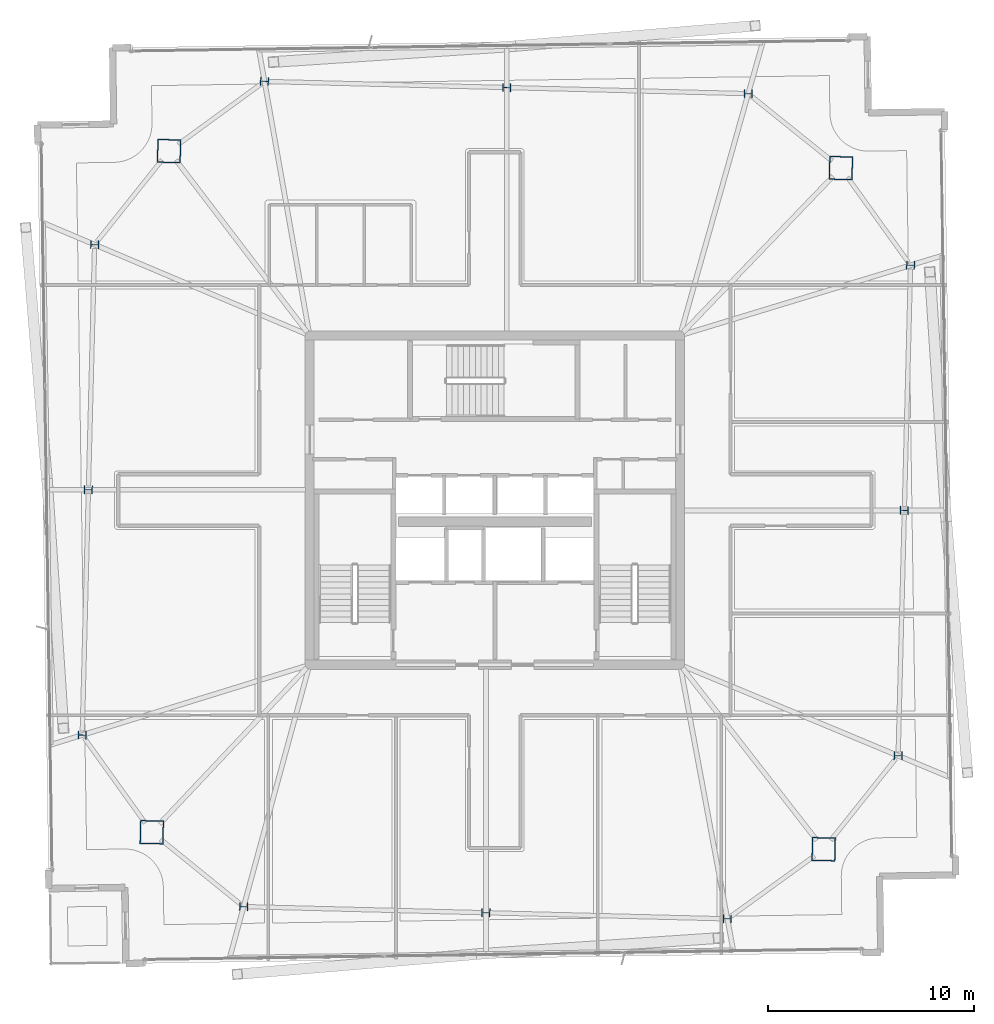
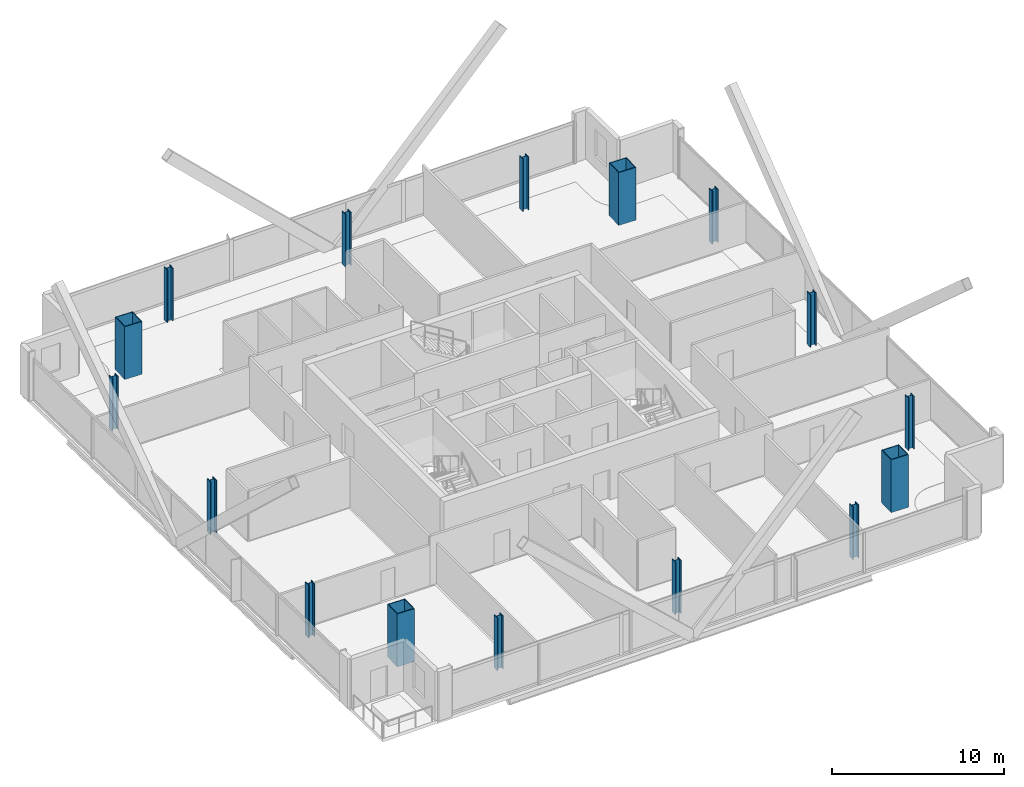
# One storey, part 1 of 25: 16 columns.
"""IFC4 building model written with IfcOpenShell, lengths in metres."""

from ifc_helpers import new_model, si_unit, direction, frame, origin, origin_2d, place, context, subcontext, project, spatial, hollow_rectangle, i_section, extrude, material, material_profile, profile_set, type_object, element, save


model = new_model("IFC4")

# Units and contexts
model_context = context("Model", 3, precision=1e-05, world=origin(), true_north=direction((0.0, 1.0)))
body_context = subcontext(model_context, "Body", "Model", "MODEL_VIEW")
ifc_project = project(units=[si_unit("LENGTHUNIT", "METRE"), si_unit("AREAUNIT", "SQUARE_METRE"), si_unit("VOLUMEUNIT", "CUBIC_METRE"), si_unit("PLANEANGLEUNIT", "RADIAN"), si_unit("MASSUNIT", "GRAM", prefix="KILO")], contexts=[model_context])

# Site, building, storey
site_placement = place(None, origin())
site = spatial("IfcSite", under=ifc_project, at=site_placement, CompositionType="ELEMENT")
building_placement = place(site_placement, origin())
building = spatial("IfcBuilding", under=site, at=building_placement, Name="Haldenkirk Collegiate Tower", CompositionType="ELEMENT")
storey_placement = place(building_placement, frame((0.0, 0.0, 332.699951171875)))
storey = spatial("IfcBuildingStorey", under=building, at=storey_placement, Name="L84", CompositionType="ELEMENT", Elevation=332.699951171875)

# Columns
ifc_material_1 = material(Name="Steel ASTM A913 Grade 65", Category="steel")
ifc_material_profile_1 = material_profile(ifc_material_1, i_section(OverallWidth=0.406005859375, OverallDepth=0.416015625, WebThickness=0.02978515625, FlangeThickness=0.048095703125, at=origin_2d()), Name="W14X257")
ifc_profile_set_1 = profile_set([ifc_material_profile_1], Name="Steel ASTM A913 Grade 65")
column_type_1 = type_object("IfcColumnType", Name="COL-INT-W14X257", PredefinedType="COLUMN", material=ifc_profile_set_1)
for number, where, z_axis, x_axis, name in (
    (1, (55.592041015625, 13.584228515625, 0.0), (0.0, 0.0, 1.0), (0.025304572866, 0.999679788028, 0.0), "L84 perimeter gravity column PC-S1"),
    (2, (55.8935546875, 25.496337890625, 0.0), (0.0, 0.0, 1.0), (0.025304572866, 0.999679788028, 0.0), "L84 perimeter gravity column PC-S2"),
    (3, (56.1953125, 37.40869140625, 0.0), (0.0, 0.0, 1.0), (0.025304572866, 0.999679788028, 0.0), "L84 perimeter gravity column PC-S3"),
    (4, (48.3115234375, 45.744873046875, 0.0), (0.0, 0.0, 1.0), (0.025304572866, 0.999679788028, 0.0), "L84 perimeter gravity column PC-E1"),
    (5, (36.582275390625, 46.041748046875, 0.0), (0.0, 0.0, 1.0), (0.025304572866, 0.999679788028, 0.0), "L84 perimeter gravity column PC-E2"),
    (6, (24.81103515625, 46.339599609375, 0.0), (0.0, 0.0, 1.0), (0.025304572866, 0.999679788028, 0.0), "L84 perimeter gravity column PC-E3"),
    (7, (16.557861328125, 38.411865234375, 0.0), (0.0, 0.0, 1.0), (0.025304572866, 0.999679788028, 0.0), "L84 perimeter gravity column PC-N1"),
    (8, (16.25634765625, 26.499755859375, 0.0), (0.0, 0.0, 1.0), (0.025304572866, 0.999679788028, 0.0), "L84 perimeter gravity column PC-N2"),
    (9, (15.954833984375, 14.587646484375, 0.0), (0.0, 0.0, 1.0), (0.025304572866, 0.999679788028, 0.0), "L84 perimeter gravity column PC-N3"),
    (10, (23.79638671875, 6.25244140625, 0.0), (0.0, 0.0, 1.0), (0.025304572866, 0.999679788028, 0.0), "L84 perimeter gravity column PC-W1"),
    (11, (35.567626953125, 5.95458984375, 0.0), (0.0, 0.0, 1.0), (0.025304572866, 0.999679788028, 0.0), "L84 perimeter gravity column PC-W2"),
    (12, (47.296875, 5.65771484375, 0.0), (0.0, 0.0, 1.0), (0.025304572866, 0.999679788028, 0.0), "L84 perimeter gravity column PC-W3"),
):
    element("IfcColumn", number, at=place(storey_placement, frame(where, z_axis=z_axis, x_axis=x_axis)), inside=storey, type_object=column_type_1, Name=name, PredefinedType="COLUMN", context=body_context, shape_type="SweptSolid", body=[
        extrude(i_section(OverallWidth=0.406005859375, OverallDepth=0.416015625, WebThickness=0.02978515625, FlangeThickness=0.048095703125, at=origin_2d()), origin(), (0.0, 0.0, 1.0), 3.75),
    ])
ifc_material_2 = material(Name="Steel ASTM A572 Grade 50", Category="steel")
ifc_material_profile_2 = material_profile(ifc_material_2, hollow_rectangle(XDim=1.14990234375, YDim=1.14990234375, WallThickness=0.050048828125, at=origin_2d()), Name="BOX1150X1150X50")
ifc_profile_set_2 = profile_set([ifc_material_profile_2], Name="Steel ASTM A572 Grade 50")
column_type_2 = type_object("IfcColumnType", Name="COL-MEGA-BOX1150X1150X50", PredefinedType="COLUMN", material=ifc_profile_set_2)
for number, where, z_axis, x_axis, name in (
    (13, (51.97607421875, 9.040283203125, 0.0), (0.0, 0.0, 1.0), (0.025304572866, 0.999679788028, 0.0), "L84 corner mega-column MC1"),
    (14, (52.8134765625, 42.129638671875, 0.0), (0.0, 0.0, 1.0), (0.025304572866, 0.999679788028, 0.0), "L84 corner mega-column MC2"),
    (15, (20.174072265625, 42.955810546875, 0.0), (0.0, 0.0, 1.0), (0.025304572866, 0.999679788028, 0.0), "L84 corner mega-column MC3"),
    (16, (19.33642578125, 9.866455078125, 0.0), (0.0, 0.0, 1.0), (0.025304572866, 0.999679788028, 0.0), "L84 corner mega-column MC4"),
):
    element("IfcColumn", number, at=place(storey_placement, frame(where, z_axis=z_axis, x_axis=x_axis)), inside=storey, type_object=column_type_2, Name=name, PredefinedType="COLUMN", context=body_context, shape_type="SweptSolid", body=[
        extrude(hollow_rectangle(XDim=1.14990234375, YDim=1.14990234375, WallThickness=0.050048828125, at=origin_2d()), origin(), (0.0, 0.0, 1.0), 3.75),
    ])

save(model, "model.ifc")
